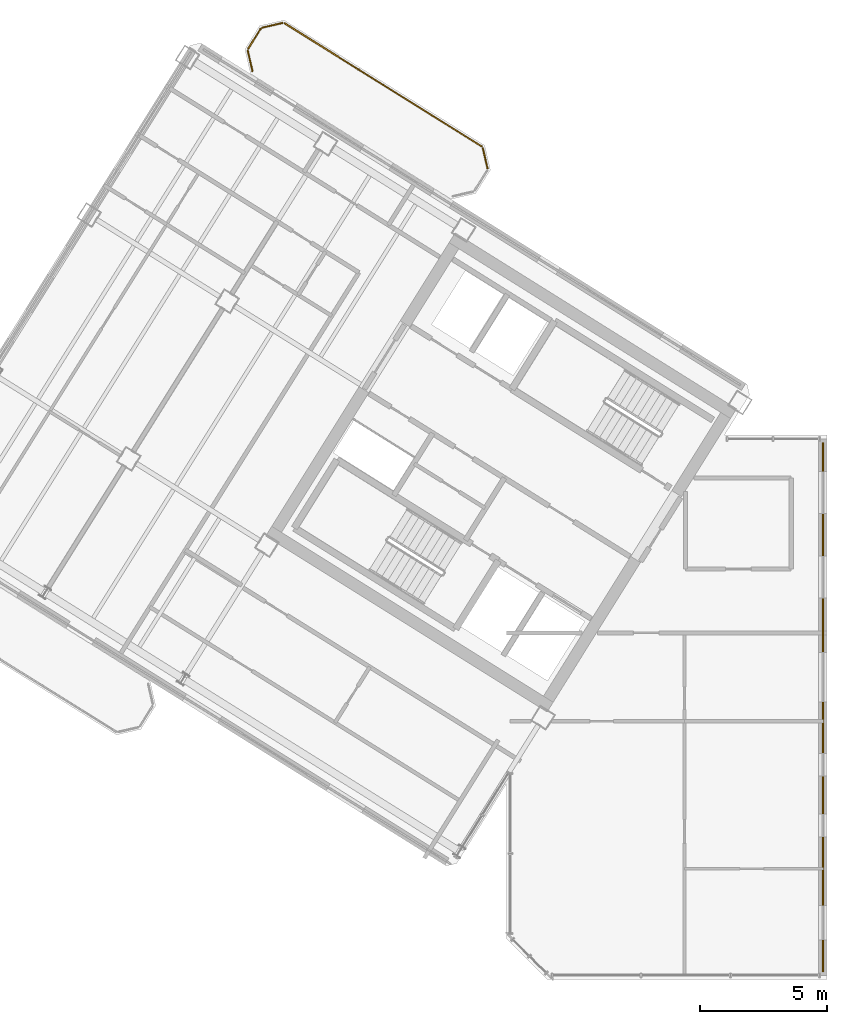
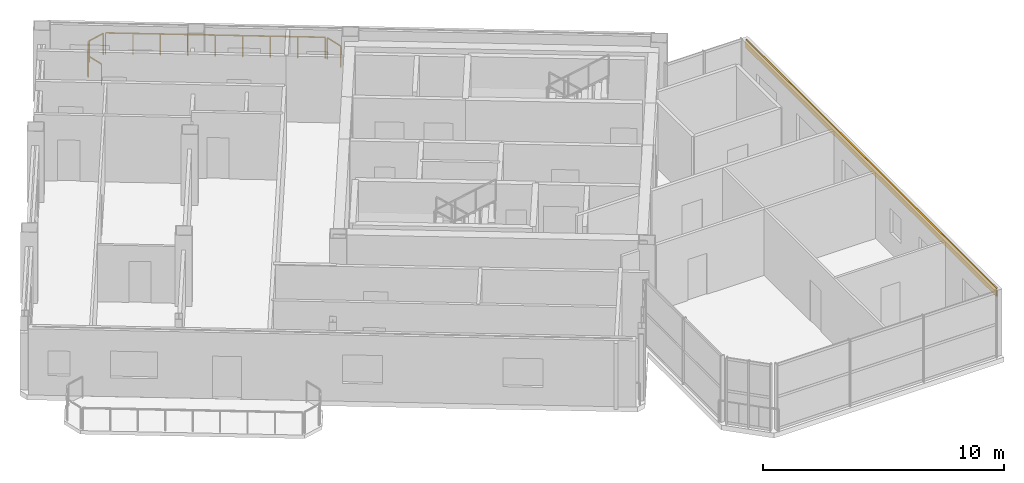
# One storey, part 14 of 14: 5 railings, 1 covering.
"""IFC4 building model written with IfcOpenShell, lengths in metres."""

from ifc_helpers import new_model, si_unit, direction, frame, origin, origin_2d, place, context, subcontext, project, spatial, rectangle, extrude, source, transform, mapped, material, layer, layer_set, type_object, element, save


model = new_model("IFC4")

# Units and contexts
model_context = context("Model", 3, precision=1e-05, world=origin(), true_north=direction((0.0, 1.0)))
body_context = subcontext(model_context, "Body", "Model", "MODEL_VIEW")
ifc_project = project(units=[si_unit("LENGTHUNIT", "METRE"), si_unit("AREAUNIT", "SQUARE_METRE"), si_unit("VOLUMEUNIT", "CUBIC_METRE"), si_unit("PLANEANGLEUNIT", "RADIAN"), si_unit("MASSUNIT", "GRAM", prefix="KILO")], contexts=[model_context])

# Site, building, storey
site_placement = place(None, origin())
site = spatial("IfcSite", under=ifc_project, at=site_placement, CompositionType="ELEMENT")
building_placement = place(site_placement, origin())
building = spatial("IfcBuilding", under=site, at=building_placement, Name="Tlacorven Tower", CompositionType="ELEMENT")
storey_placement = place(building_placement, frame((0.0, 0.0, 284.39990234375)))
storey = spatial("IfcBuildingStorey", under=building, at=storey_placement, Name="L72", CompositionType="ELEMENT", Elevation=284.39990234375)

# Railings
ifc_material_1 = material(Name="Aluminium and painted steel balustrade", Category="steel")
railing_type = type_object("IfcRailingType", Name="RL-BAL-1100", PredefinedType="BALUSTRADE", material=ifc_material_1)
shared_shape_1 = source(origin(), body_context, "Body", "SweptSolid", [
    extrude(rectangle(XDim=0.048095703125, YDim=0.048095703125, at=origin_2d()), frame((0.0, 0.0, 1.076171875), z_axis=(0.225058334816, -0.974345290916, 0.0), x_axis=(0.974345290916, 0.225058334816, 0.0)), (0.0, 0.0, 1.0), 0.80712890625),
    extrude(rectangle(XDim=0.0419921875, YDim=0.0419921875, at=origin_2d()), origin(), (0.0, 0.0, 1.0), 1.052001953125),
    extrude(rectangle(XDim=0.0419921875, YDim=0.0419921875, at=origin_2d()), frame((0.181640625, -0.786376953125, 0.0)), (0.0, 0.0, 1.0), 1.052001953125),
])
railing_1_placement = place(storey_placement, frame((30.6796875, 34.466064453125, 0.0)))
element("IfcRailing", 1, at=railing_1_placement, inside=storey, type_object=railing_type, Name="BAL-L72-W-IN Guard Railing 1", PredefinedType="BALUSTRADE", context=body_context, shape_type="MappedRepresentation", body=[
    mapped(shared_shape_1, transform((0.0, 0.0, 0.0), scale=1.0)),
])
shared_shape_2 = source(origin(), body_context, "Body", "SweptSolid", [
    extrude(rectangle(XDim=0.048095703125, YDim=0.048095703125, at=origin_2d()), frame((0.0, 0.0, 1.076171875), z_axis=(-0.225058334816, 0.974345290916, 0.0), x_axis=(-0.974345290916, -0.225058334816, 0.0)), (0.0, 0.0, 1.0), 0.80712890625),
    extrude(rectangle(XDim=0.0419921875, YDim=0.0419921875, at=origin_2d()), origin(), (0.0, 0.0, 1.0), 1.052001953125),
    extrude(rectangle(XDim=0.0419921875, YDim=0.0419921875, at=origin_2d()), frame((-0.181640625, 0.786376953125, 0.0)), (0.0, 0.0, 1.0), 1.052001953125),
])
railing_2_placement = place(storey_placement, frame((21.62451171875, 37.501708984375, 0.0)))
element("IfcRailing", 2, at=railing_2_placement, inside=storey, type_object=railing_type, Name="BAL-L72-W-IN Guard Railing 4", PredefinedType="BALUSTRADE", context=body_context, shape_type="MappedRepresentation", body=[
    mapped(shared_shape_2, transform((0.0, 0.0, 0.0), scale=1.0)),
])
shared_shape_3 = source(origin(), body_context, "Body", "SweptSolid", [
    extrude(rectangle(XDim=0.048095703125, YDim=0.048095703125, at=origin_2d()), frame((0.0, 0.0, 1.076171875), z_axis=(0.52987865805, 0.848073468364, 0.0), x_axis=(-0.848073468364, 0.52987865805, 0.0)), (0.0, 0.0, 1.0), 0.912353515625),
    extrude(rectangle(XDim=0.0419921875, YDim=0.0419921875, at=origin_2d()), origin(), (0.0, 0.0, 1.0), 1.052001953125),
    extrude(rectangle(XDim=0.0419921875, YDim=0.0419921875, at=origin_2d()), frame((0.4833984375, 0.773681640625, 0.0)), (0.0, 0.0, 1.0), 1.052001953125),
])
railing_3_placement = place(storey_placement, frame((21.4580078125, 38.379150390625, 0.0)))
element("IfcRailing", 3, at=railing_3_placement, inside=storey, type_object=railing_type, Name="BAL-L72-W-IN Guard Railing 5", PredefinedType="BALUSTRADE", context=body_context, shape_type="MappedRepresentation", body=[
    mapped(shared_shape_3, transform((0.0, 0.0, 0.0), scale=1.0)),
])

# Covering
ifc_material_2 = material(Name="Precast concrete C45/55", Category="concrete")
ifc_layer = layer(ifc_material_2, 0.06005859375)
ifc_layer_set = layer_set([ifc_layer], Name="Precast concrete C45/55")
covering_type = type_object("IfcCoveringType", Name="CV-CLD-TERC", PredefinedType="CLADDING", material=ifc_layer_set)
shared_shape_4 = source(origin(), body_context, "Body", "SweptSolid", [
    extrude(rectangle(XDim=20.780029296875, YDim=0.06005859375, at=origin_2d()), origin(), (0.0, 0.0, 1.0), 0.419921875),
])
covering_placement = place(storey_placement, frame((44.0400390625, 12.5, 2.93017578125), z_axis=(0.0, 0.0, 1.0), x_axis=(0.0, -1.0, 0.0)))
element("IfcCovering", 4, at=covering_placement, inside=storey, type_object=covering_type, Name="L72 Masonry-Frame Spandrel Cladding 1", PredefinedType="CLADDING", context=body_context, shape_type="MappedRepresentation", body=[
    mapped(shared_shape_4, transform((0.0, 0.0, 0.0), scale=1.0)),
])

# Railings
shared_shape_5 = source(origin(), body_context, "Body", "SweptSolid", [
    extrude(rectangle(XDim=0.048095703125, YDim=0.048095703125, at=origin_2d()), frame((0.0, 0.0, 1.076171875), z_axis=(0.974360606036, 0.224992020761, 0.0), x_axis=(-0.224992020761, 0.974360606036, 0.0)), (0.0, 0.0, 1.0), 0.807373046875),
    extrude(rectangle(XDim=0.0419921875, YDim=0.0419921875, at=origin_2d()), origin(), (0.0, 0.0, 1.0), 1.052001953125),
    extrude(rectangle(XDim=0.0419921875, YDim=0.0419921875, at=origin_2d()), frame((0.78662109375, 0.181640625, 0.0)), (0.0, 0.0, 1.0), 1.052001953125),
])
railing_4_placement = place(storey_placement, frame((22.0166015625, 39.206298828125, 0.0)))
element("IfcRailing", 5, at=railing_4_placement, inside=storey, type_object=railing_type, Name="BAL-L72-W-IN Guard Railing 6", PredefinedType="BALUSTRADE", context=body_context, shape_type="MappedRepresentation", body=[
    mapped(shared_shape_5, transform((0.0, 0.0, 0.0), scale=1.0)),
])
shared_shape_6 = source(origin(), body_context, "Body", "SweptSolid", [
    extrude(rectangle(XDim=0.048095703125, YDim=0.048095703125, at=origin_2d()), frame((0.0, 0.0, 1.076171875), z_axis=(0.848035911573, -0.529938763144, 0.0), x_axis=(0.529938763144, 0.848035911573, 0.0)), (0.0, 0.0, 1.0), 9.1171875),
    extrude(rectangle(XDim=0.0419921875, YDim=0.0419921875, at=origin_2d()), origin(), (0.0, 0.0, 1.0), 1.052001953125),
    extrude(rectangle(XDim=0.0419921875, YDim=0.0419921875, at=origin_2d()), frame((0.966552734375, -0.60400390625, 0.0)), (0.0, 0.0, 1.0), 1.052001953125),
    extrude(rectangle(XDim=0.0419921875, YDim=0.0419921875, at=origin_2d()), frame((1.932861328125, -1.2080078125, 0.0)), (0.0, 0.0, 1.0), 1.052001953125),
    extrude(rectangle(XDim=0.0419921875, YDim=0.0419921875, at=origin_2d()), frame((2.8994140625, -1.811767578125, 0.0)), (0.0, 0.0, 1.0), 1.052001953125),
    extrude(rectangle(XDim=0.0419921875, YDim=0.0419921875, at=origin_2d()), frame((3.86572265625, -2.415771484375, 0.0)), (0.0, 0.0, 1.0), 1.052001953125),
    extrude(rectangle(XDim=0.0419921875, YDim=0.0419921875, at=origin_2d()), frame((4.832275390625, -3.019775390625, 0.0)), (0.0, 0.0, 1.0), 1.052001953125),
    extrude(rectangle(XDim=0.0419921875, YDim=0.0419921875, at=origin_2d()), frame((5.798828125, -3.62353515625, 0.0)), (0.0, 0.0, 1.0), 1.052001953125),
    extrude(rectangle(XDim=0.0419921875, YDim=0.0419921875, at=origin_2d()), frame((6.76513671875, -4.2275390625, 0.0)), (0.0, 0.0, 1.0), 1.052001953125),
    extrude(rectangle(XDim=0.0419921875, YDim=0.0419921875, at=origin_2d()), frame((7.731689453125, -4.83154296875, 0.0)), (0.0, 0.0, 1.0), 1.052001953125),
])
railing_5_placement = place(storey_placement, frame((22.894287109375, 39.372802734375, 0.0)))
element("IfcRailing", 6, at=railing_5_placement, inside=storey, type_object=railing_type, Name="BAL-L72-W-IN Guard Railing 7", PredefinedType="BALUSTRADE", context=body_context, shape_type="MappedRepresentation", body=[
    mapped(shared_shape_6, transform((0.0, 0.0, 0.0), scale=1.0)),
])

save(model, "model.ifc")
